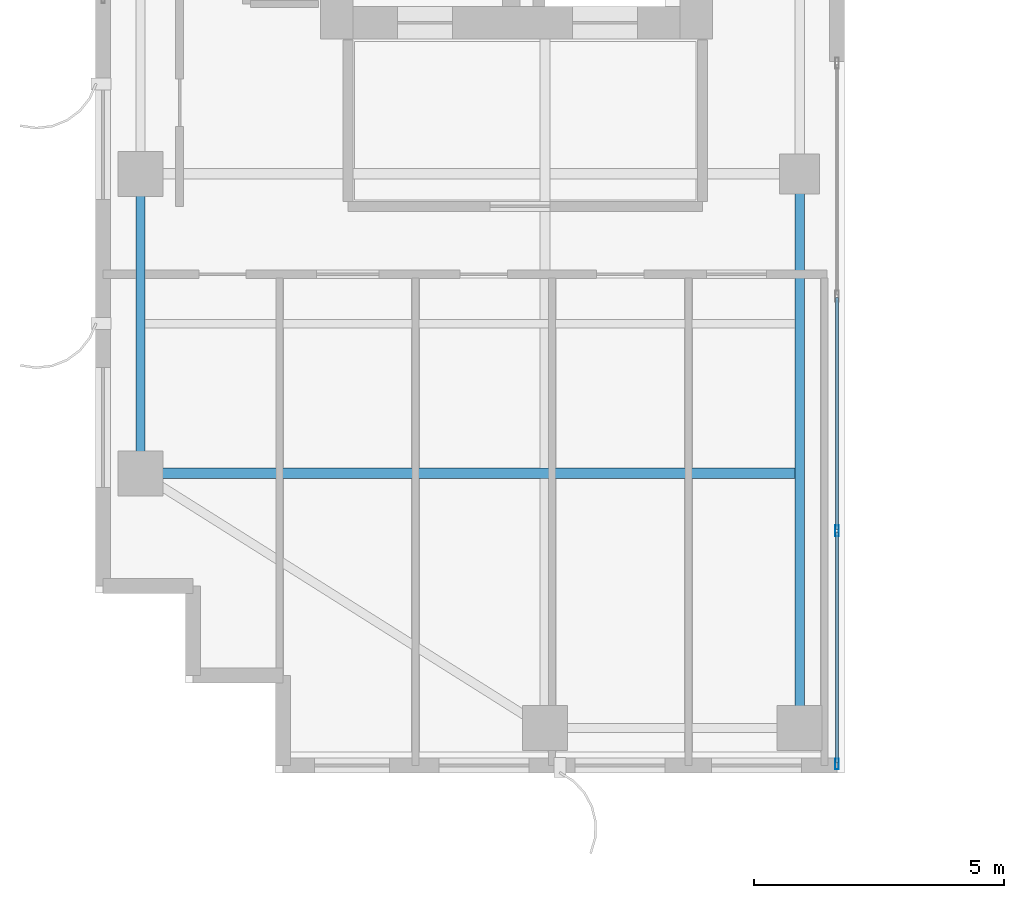
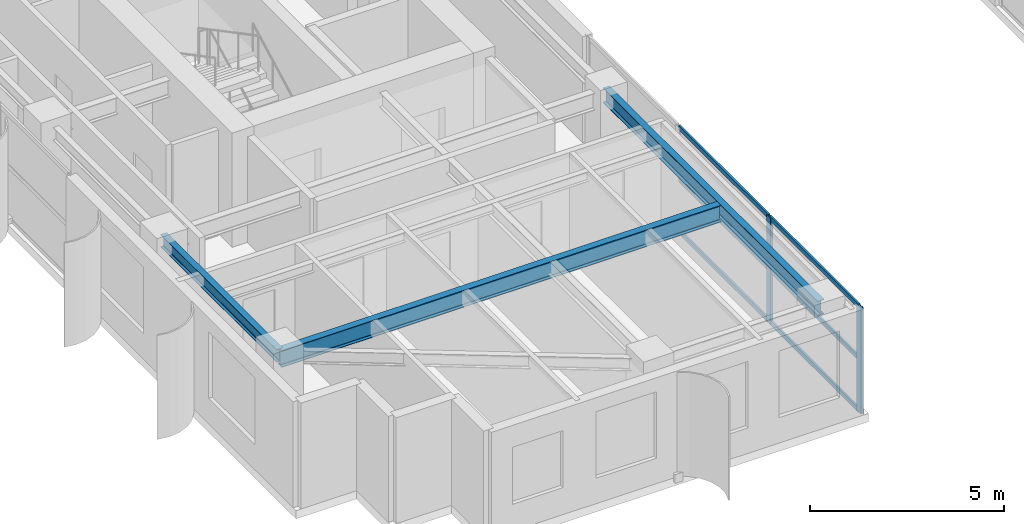
# One storey, part 2 of 22: 8 members, 3 beams, 1 element without a shape of its own.
"""IFC4 building model written with IfcOpenShell, lengths in metres."""

import ifcopenshell
import ifcopenshell.guid

model = None  # the IFC model being written
_history = None  # IfcOwnerHistory: only IFC2X3 demands one
_inside = {}  # id of a spatial element -> (the spatial element, [elements in it])
_under = {}  # id of a project, library or spatial element -> (it, [spatial elements below it])
_declared = {}  # id of a project -> (the project, [libraries it declares])
_typed = {}  # id of a type object -> (the type object, [elements of that type])
_made_of = {}  # id of a material, layer set ... -> (it, [elements and type objects made of it])


def new_model(schema):
    """Start an empty IFC model of exactly this schema.

    Asked for "IFC4X3", IfcOpenShell would pick the latest addendum, in which some entities
    have other attributes; the version numbers below select the first issue.
    IFC2X3 requires an IfcOwnerHistory on every rooted entity: one is made here for all.
    """
    global model, _history
    if schema == "IFC4X3":
        model = ifcopenshell.file(schema_version=(4, 3, 0, 0))
    else:
        model = ifcopenshell.file(schema=schema)
    _inside.clear()
    _under.clear()
    _declared.clear()
    _typed.clear()
    _made_of.clear()
    _history = None
    if model.schema == "IFC2X3":
        org = make("IfcOrganization", Name="unknown")
        user = make(
            "IfcPersonAndOrganization",
            ThePerson=make("IfcPerson", FamilyName="unknown"),
            TheOrganization=org,
        )
        app = make(
            "IfcApplication",
            ApplicationDeveloper=org,
            Version="unknown",
            ApplicationFullName="unknown",
            ApplicationIdentifier="unknown",
        )
        _history = make(
            "IfcOwnerHistory",
            OwningUser=user,
            OwningApplication=app,
            ChangeAction="ADDED",
            CreationDate=0,
        )
    return model


def make(cls, **values):
    """One entity of the class cls with the attributes given. An attribute that is None is left unset."""
    return model.create_entity(
        cls, **{name: value for name, value in values.items() if value is not None}
    )


def rooted(cls, **values):
    """An entity with a GlobalId (a new one), such as an element, a storey or a relation."""
    return make(cls, GlobalId=ifcopenshell.guid.new(), OwnerHistory=_history, **values)


def si_unit(unit_type, name, prefix=None):
    """IfcSIUnit, for example si_unit("LENGTHUNIT", "METRE", prefix="MILLI")."""
    return make("IfcSIUnit", UnitType=unit_type, Prefix=prefix, Name=name)


def assignment(units):
    """IfcUnitAssignment: the units of a project."""
    return None if units is None else make("IfcUnitAssignment", Units=units)


def point(xyz):
    """IfcCartesianPoint."""
    return None if xyz is None else make("IfcCartesianPoint", Coordinates=xyz)


def direction(xyz):
    """IfcDirection."""
    return None if xyz is None else make("IfcDirection", DirectionRatios=xyz)


def frame(location, z_axis=None, x_axis=None):
    """IfcAxis2Placement3D, a coordinate frame: its origin and axes. An axis left out is left unset."""
    return make(
        "IfcAxis2Placement3D",
        Location=point(location),
        Axis=direction(z_axis),
        RefDirection=direction(x_axis),
    )


def frame_2d(location, x_axis=None):
    """IfcAxis2Placement2D, a coordinate frame in the plane: its origin and x axis."""
    return make(
        "IfcAxis2Placement2D", Location=point(location), RefDirection=direction(x_axis)
    )


def origin():
    """The frame at (0, 0, 0) with its axes left unset."""
    return frame((0.0, 0.0, 0.0))


def origin_2d():
    """The frame at (0, 0) in the plane with its x axis left unset."""
    return frame_2d((0.0, 0.0))


def place(relative_to, where):
    """IfcLocalPlacement: puts the frame where relative to a parent placement (None: the world)."""
    return make(
        "IfcLocalPlacement", PlacementRelTo=relative_to, RelativePlacement=where
    )


def context(
    kind, dimensions, precision=None, world=None, true_north=None, identifier=None
):
    """IfcGeometricRepresentationContext, for example the 3D "Model" context."""
    return make(
        "IfcGeometricRepresentationContext",
        ContextIdentifier=identifier,
        ContextType=kind,
        CoordinateSpaceDimension=dimensions,
        Precision=precision,
        WorldCoordinateSystem=world,
        TrueNorth=true_north,
    )


def subcontext(parent, identifier, kind, view, scale=None):
    """IfcGeometricRepresentationSubContext, for example "Body" below "Model"."""
    return make(
        "IfcGeometricRepresentationSubContext",
        ContextIdentifier=identifier,
        ContextType=kind,
        ParentContext=parent,
        TargetScale=scale,
        TargetView=view,
    )


def project(units=None, contexts=None):
    """IfcProject with its units and contexts."""
    return rooted(
        "IfcProject",
        Name="project",
        RepresentationContexts=contexts,
        UnitsInContext=assignment(units),
    )


def spatial(cls, under=None, at=None, **own):
    """A site, building, storey or space (cls), placed at a placement, below another one or the project."""
    s = rooted(cls, ObjectPlacement=at, **own)
    if under is not None:
        _under.setdefault(under.id(), (under, []))[1].append(s)
    return s


def profile(cls, at=None, kind="AREA", **sizes):
    """A parametric profile (cls). Its sizes go by their IFC names, for example OverallWidth=200.0."""
    return make(cls, ProfileType=kind, Position=at, **sizes)


def hollow_rectangle(**sizes):
    """IfcRectangleHollowProfileDef."""
    return profile("IfcRectangleHollowProfileDef", **sizes)


def i_section(**sizes):
    """IfcIShapeProfileDef."""
    return profile("IfcIShapeProfileDef", **sizes)


def extrude(swept, where, along, depth):
    """IfcExtrudedAreaSolid: the profile swept, set in the frame where, extruded along a direction by depth."""
    return make(
        "IfcExtrudedAreaSolid",
        SweptArea=swept,
        Position=where,
        ExtrudedDirection=direction(along),
        Depth=depth,
    )


def shape(context_of_items, identifier, shape_type, items):
    """IfcShapeRepresentation: the items that make up one representation, for example the "Body"."""
    return make(
        "IfcShapeRepresentation",
        ContextOfItems=context_of_items,
        RepresentationIdentifier=identifier,
        RepresentationType=shape_type,
        Items=items,
    )


def source(mapping_origin, context_of_items, identifier, shape_type, items):
    """IfcRepresentationMap: a shape defined once, which mapped items show again and again."""
    return make(
        "IfcRepresentationMap",
        MappingOrigin=mapping_origin,
        MappedRepresentation=shape(context_of_items, identifier, shape_type, items),
    )


def transform(
    local_origin,
    x_axis=None,
    y_axis=None,
    z_axis=None,
    scale=None,
    scale2=None,
    scale3=None,
    uniform=True,
):
    """IfcCartesianTransformationOperator3D, or its non-uniform kind. x_axis, y_axis, z_axis: its Axis1, 2, 3."""
    if uniform:
        return make(
            "IfcCartesianTransformationOperator3D",
            Axis1=direction(x_axis),
            Axis2=direction(y_axis),
            LocalOrigin=point(local_origin),
            Scale=scale,
            Axis3=direction(z_axis),
        )
    return make(
        "IfcCartesianTransformationOperator3DnonUniform",
        Axis1=direction(x_axis),
        Axis2=direction(y_axis),
        LocalOrigin=point(local_origin),
        Scale=scale,
        Axis3=direction(z_axis),
        Scale2=scale2,
        Scale3=scale3,
    )


def mapped(mapping_source, mapping_target):
    """IfcMappedItem: shows the shape of a source again, moved by a transform."""
    return make(
        "IfcMappedItem", MappingSource=mapping_source, MappingTarget=mapping_target
    )


def material(Name=None, Category=None):
    """IfcMaterial."""
    return make("IfcMaterial", Name=Name, Category=Category)


def layer(
    of_material, thickness, ventilated=None, Name=None, Category=None, Priority=None
):
    """IfcMaterialLayer: one layer of a wall or slab, of a material (None: an air gap)."""
    return make(
        "IfcMaterialLayer",
        Material=of_material,
        LayerThickness=thickness,
        IsVentilated=ventilated,
        Name=Name,
        Category=Category,
        Priority=Priority,
    )


def layer_set(layers, Name=None):
    """IfcMaterialLayerSet."""
    return make("IfcMaterialLayerSet", MaterialLayers=layers, LayerSetName=Name)


def material_profile(
    of_material, cross_section, Name=None, Category=None, Priority=None
):
    """IfcMaterialProfile: a cross section and its material."""
    return make(
        "IfcMaterialProfile",
        Name=Name,
        Material=of_material,
        Profile=cross_section,
        Priority=Priority,
        Category=Category,
    )


def profile_set(profiles, Name=None, composite=None):
    """IfcMaterialProfileSet."""
    return make(
        "IfcMaterialProfileSet",
        Name=Name,
        MaterialProfiles=profiles,
        CompositeProfile=composite,
    )


def made_of(thing, what):
    """Note that an element or type object is made of a material, layer set ...; save() writes the relation."""
    if what is not None:
        _made_of.setdefault(what.id(), (what, []))[1].append(thing)
    return thing


def type_object(cls, material=None, **own):
    """A type object (cls), such as IfcWallType, which elements share."""
    return made_of(rooted(cls, **own), material)


def element(
    cls,
    number,
    at=None,
    inside=None,
    cuts=None,
    type_object=None,
    material=None,
    context=None,
    identifier="Body",
    shape_type=None,
    held_by="IfcProductDefinitionShape",
    body=None,
    shapes=None,
    **own,
):
    """One element of the class cls, such as IfcWall. Its Tag is "e" and its number.

    at: its placement. inside: the storey or other place that contains it. cuts: it is an
    opening in that element (IfcRelVoidsElement). A single representation is given by context,
    identifier, shape_type and body (its items); several are given by shapes. held_by: the class
    of the entity that holds the representations. save() writes the other relations.
    """
    e = rooted(cls, Tag="e%d" % number, ObjectPlacement=at, **own)
    if body is not None:
        shapes = [shape(context, identifier, shape_type, body)]
    if shapes is not None:
        e.Representation = make(held_by, Representations=shapes)
    if inside is not None:
        _inside.setdefault(inside.id(), (inside, []))[1].append(e)
    if cuts is not None:
        rooted(
            "IfcRelVoidsElement", RelatingBuildingElement=cuts, RelatedOpeningElement=e
        )
    if type_object is not None:
        _typed.setdefault(type_object.id(), (type_object, []))[1].append(e)
    return made_of(e, material)


def aggregate(whole, parts):
    """IfcRelAggregates: a whole, such as a stair, and the parts it consists of."""
    return rooted("IfcRelAggregates", RelatingObject=whole, RelatedObjects=parts)


def save(model, path):
    """Write the relations noted so far, then the file.

    IfcRelAggregates (storeys below a building ...), IfcRelContainedInSpatialStructure (elements
    in a storey), IfcRelDefinesByType, IfcRelAssociatesMaterial and IfcRelDeclares: one each for
    every whole, place, type object, material and project.
    """
    for whole, parts in _under.values():
        aggregate(whole, parts)
    for where, things in _inside.values():
        rooted(
            "IfcRelContainedInSpatialStructure",
            RelatedElements=things,
            RelatingStructure=where,
        )
    for kind, things in _typed.values():
        rooted("IfcRelDefinesByType", RelatedObjects=things, RelatingType=kind)
    for what, things in _made_of.values():
        rooted("IfcRelAssociatesMaterial", RelatedObjects=things, RelatingMaterial=what)
    for by, libraries in _declared.values():
        rooted("IfcRelDeclares", RelatingContext=by, RelatedDefinitions=libraries)
    model.write(path)


model = new_model("IFC4")

# Units and contexts
model_context = context("Model", 3, precision=1e-05, world=origin(), true_north=direction((0.0, 1.0)))
body_context = subcontext(model_context, "Body", "Model", "MODEL_VIEW")
ifc_project = project(units=[si_unit("LENGTHUNIT", "METRE"), si_unit("AREAUNIT", "SQUARE_METRE"), si_unit("VOLUMEUNIT", "CUBIC_METRE"), si_unit("PLANEANGLEUNIT", "RADIAN"), si_unit("MASSUNIT", "GRAM", prefix="KILO")], contexts=[model_context])

# Site, building, storey
site_placement = place(None, origin())
site = spatial("IfcSite", under=ifc_project, at=site_placement, CompositionType="ELEMENT")
building_placement = place(site_placement, origin())
building = spatial("IfcBuilding", under=site, at=building_placement, Name="Khoralis Quay Care Tower", CompositionType="ELEMENT")
storey_placement = place(building_placement, frame((0.0, 0.0, 191.699951171875)))
storey = spatial("IfcBuildingStorey", under=building, at=storey_placement, Name="L50", CompositionType="ELEMENT", Elevation=191.699951171875)

# Beams
ifc_material_1 = material(Name="Steel S355", Category="steel")
ifc_material_profile_1 = material_profile(ifc_material_1, i_section(OverallWidth=0.179931640625, OverallDepth=0.39990234375, WebThickness=0.008544921875, FlangeThickness=0.013427734375, FilletRadius=0.02099609375, at=origin_2d()), Name="Steel S355")
ifc_profile_set_1 = profile_set([ifc_material_profile_1], Name="Steel S355")
beam_type_1 = type_object("IfcBeamType", Name="BM-IPE400", PredefinedType="SPANDREL", material=ifc_profile_set_1)
shared_shape_1 = source(origin(), body_context, "Body", "SweptSolid", [
    extrude(i_section(OverallWidth=0.179931640625, OverallDepth=0.39990234375, WebThickness=0.008544921875, FlangeThickness=0.013427734375, FilletRadius=0.02099609375, at=origin_2d()), origin(), (0.0, 0.0, 1.0), 6.0),
])
beam_1_placement = place(storey_placement, frame((3.89990234375, 6.0, 3.14013671875), z_axis=(0.0, 1.0, 0.0), x_axis=(-1.0, 0.0, 0.0)))
element("IfcBeam", 1, at=beam_1_placement, inside=storey, type_object=beam_type_1, Name="BM-TSP-L50-05", PredefinedType="SPANDREL", context=body_context, shape_type="MappedRepresentation", body=[
    mapped(shared_shape_1, transform((0.0, 0.0, 0.0), scale=1.0)),
])
ifc_material_profile_2 = material_profile(ifc_material_1, i_section(OverallWidth=0.208984375, OverallDepth=0.532958984375, WebThickness=0.01025390625, FlangeThickness=0.015625, FilletRadius=0.01611328125, at=origin_2d()), Name="Steel S355")
ifc_profile_set_2 = profile_set([ifc_material_profile_2], Name="Steel S355")
beam_type_2 = type_object("IfcBeamType", Name="BM-W530X92", PredefinedType="BEAM", material=ifc_profile_set_2)
shared_shape_2 = source(origin(), body_context, "Body", "SweptSolid", [
    extrude(i_section(OverallWidth=0.208984375, OverallDepth=0.532958984375, WebThickness=0.01025390625, FlangeThickness=0.015625, FilletRadius=0.01611328125, at=origin_2d()), origin(), (0.0, 0.0, 1.0), 13.1162109375),
])
beam_2_placement = place(storey_placement, frame((3.89990234375, 6.0, 3.073486328125), z_axis=(1.0, 0.0, 0.0), x_axis=(0.0, 1.0, 0.0)))
element("IfcBeam", 2, at=beam_2_placement, inside=storey, type_object=beam_type_2, Name="BM-TGXW-L50-60", PredefinedType="BEAM", context=body_context, shape_type="MappedRepresentation", body=[
    mapped(shared_shape_2, transform((0.0, 0.0, 0.0), scale=1.0)),
])
ifc_material_profile_3 = material_profile(ifc_material_1, i_section(OverallWidth=0.19189453125, OverallDepth=0.462890625, WebThickness=0.010498046875, FlangeThickness=0.017578125, FilletRadius=0.014892578125, at=origin_2d()), Name="Steel S355")
ifc_profile_set_3 = profile_set([ifc_material_profile_3], Name="Steel S355")
beam_type_3 = type_object("IfcBeamType", Name="BM-W460X89", PredefinedType="BEAM", material=ifc_profile_set_3)
shared_shape_3 = source(origin(), body_context, "Body", "SweptSolid", [
    extrude(i_section(OverallWidth=0.19189453125, OverallDepth=0.462890625, WebThickness=0.010498046875, FlangeThickness=0.017578125, FilletRadius=0.014892578125, at=origin_2d()), origin(), (0.0, 0.0, 1.0), 11.10009765625),
])
beam_3_placement = place(storey_placement, frame((17.10009765625, 0.89990234375, 3.108642578125), z_axis=(0.0, 1.0, 0.0), x_axis=(-1.0, 0.0, 0.0)))
element("IfcBeam", 3, at=beam_3_placement, inside=storey, type_object=beam_type_3, Name="BM-TGYS-L50-171", PredefinedType="BEAM", context=body_context, shape_type="MappedRepresentation", body=[
    mapped(shared_shape_3, transform((0.0, 0.0, 0.0), scale=1.0)),
])

# Curtain wall, members
ifc_material_2 = material(Name="Pale anodised aluminium", Category="aluminium")
ifc_layer = layer(ifc_material_2, 0.18994140625)
ifc_layer_set = layer_set([ifc_layer], Name="Pale anodised aluminium")
curtain_wall_type = type_object("IfcCurtainWallType", Name="CW-SYS-PORTAL", PredefinedType="NOTDEFINED", material=ifc_layer_set)
curtain_wall_placement = place(storey_placement, origin())
curtain_wall = element("IfcCurtainWall", 4, at=curtain_wall_placement, inside=storey, type_object=curtain_wall_type, Name="L50 Unitised Curtain Wall CW-VP-L50-P1-S", PredefinedType="NOTDEFINED")
ifc_material_profile_4 = material_profile(ifc_material_2, hollow_rectangle(XDim=0.074951171875, YDim=0.219970703125, WallThickness=0.00390625, at=origin_2d()), Name="Pale anodised aluminium")
ifc_profile_set_4 = profile_set([ifc_material_profile_4], Name="Pale anodised aluminium")
member_type_1 = type_object("IfcMemberType", Name="CW-MUL-220", PredefinedType="MULLION", material=ifc_profile_set_4)
shared_shape_4 = source(origin(), body_context, "Body", "SweptSolid", [
    extrude(hollow_rectangle(XDim=0.074951171875, YDim=0.219970703125, WallThickness=0.00390625, at=origin_2d()), origin(), (0.0, 0.0, 1.0), 3.340087890625),
])
member_1_placement = place(storey_placement, frame((17.85009765625, 0.179931640625, 0.0), z_axis=(0.0, 0.0, 1.0), x_axis=(-1.0, 0.0, 0.0)))
member_1 = element("IfcMember", 5, at=member_1_placement, type_object=member_type_1, Name="CW4 mullion 1", PredefinedType="MULLION", context=body_context, shape_type="MappedRepresentation", body=[
    mapped(shared_shape_4, transform((0.0, 0.0, 0.0), scale=1.0)),
])
member_2_placement = place(storey_placement, frame((17.85009765625, 4.85009765625, 0.0), z_axis=(0.0, 0.0, 1.0), x_axis=(-1.0, 0.0, 0.0)))
member_2 = element("IfcMember", 6, at=member_2_placement, type_object=member_type_1, Name="CW4 mullion 2", PredefinedType="MULLION", context=body_context, shape_type="MappedRepresentation", body=[
    mapped(shared_shape_4, transform((0.0, 0.0, 0.0), scale=1.0)),
])
ifc_material_profile_5 = material_profile(ifc_material_2, hollow_rectangle(XDim=0.06005859375, YDim=0.139892578125, WallThickness=0.00390625, at=origin_2d()), Name="Pale anodised aluminium")
ifc_profile_set_5 = profile_set([ifc_material_profile_5], Name="Pale anodised aluminium")
member_type_2 = type_object("IfcMemberType", Name="CW-TRN-140", PredefinedType="USERDEFINED", material=ifc_profile_set_5)
shared_shape_5 = source(origin(), body_context, "Body", "SweptSolid", [
    extrude(hollow_rectangle(XDim=0.06005859375, YDim=0.139892578125, WallThickness=0.00390625, at=origin_2d()), origin(), (0.0, 0.0, 1.0), 4.610107421875),
])
member_3_placement = place(storey_placement, frame((17.85009765625, 0.2099609375, 0.030029296875), z_axis=(0.0, 1.0, 0.0), x_axis=(-1.0, 0.0, 0.0)))
member_3 = element("IfcMember", 7, at=member_3_placement, type_object=member_type_2, Name="CW4 transom 1.1", ObjectType="TRANSOM", PredefinedType="USERDEFINED", context=body_context, shape_type="MappedRepresentation", body=[
    mapped(shared_shape_5, transform((0.0, 0.0, 0.0), scale=1.0)),
])
member_4_placement = place(storey_placement, frame((17.85009765625, 0.2099609375, 1.670166015625), z_axis=(0.0, 1.0, 0.0), x_axis=(-1.0, 0.0, 0.0)))
member_4 = element("IfcMember", 8, at=member_4_placement, type_object=member_type_2, Name="CW4 transom 1.2", ObjectType="TRANSOM", PredefinedType="USERDEFINED", context=body_context, shape_type="MappedRepresentation", body=[
    mapped(shared_shape_5, transform((0.0, 0.0, 0.0), scale=1.0)),
])
member_5_placement = place(storey_placement, frame((17.85009765625, 0.2099609375, 3.31005859375), z_axis=(0.0, 1.0, 0.0), x_axis=(-1.0, 0.0, 0.0)))
member_5 = element("IfcMember", 9, at=member_5_placement, type_object=member_type_2, Name="CW4 transom 1.3", ObjectType="TRANSOM", PredefinedType="USERDEFINED", context=body_context, shape_type="MappedRepresentation", body=[
    mapped(shared_shape_5, transform((0.0, 0.0, 0.0), scale=1.0)),
])
shared_shape_6 = source(origin(), body_context, "Body", "SweptSolid", [
    extrude(hollow_rectangle(XDim=0.06005859375, YDim=0.139892578125, WallThickness=0.00390625, at=origin_2d()), origin(), (0.0, 0.0, 1.0), 4.64013671875),
])
member_6_placement = place(storey_placement, frame((17.85009765625, 4.8798828125, 0.030029296875), z_axis=(0.0, 1.0, 0.0), x_axis=(-1.0, 0.0, 0.0)))
member_6 = element("IfcMember", 10, at=member_6_placement, type_object=member_type_2, Name="CW4 transom 2.1", ObjectType="TRANSOM", PredefinedType="USERDEFINED", context=body_context, shape_type="MappedRepresentation", body=[
    mapped(shared_shape_6, transform((0.0, 0.0, 0.0), scale=1.0)),
])
member_7_placement = place(storey_placement, frame((17.85009765625, 4.8798828125, 1.670166015625), z_axis=(0.0, 1.0, 0.0), x_axis=(-1.0, 0.0, 0.0)))
member_7 = element("IfcMember", 11, at=member_7_placement, type_object=member_type_2, Name="CW4 transom 2.2", ObjectType="TRANSOM", PredefinedType="USERDEFINED", context=body_context, shape_type="MappedRepresentation", body=[
    mapped(shared_shape_6, transform((0.0, 0.0, 0.0), scale=1.0)),
])
member_8_placement = place(storey_placement, frame((17.85009765625, 4.8798828125, 3.31005859375), z_axis=(0.0, 1.0, 0.0), x_axis=(-1.0, 0.0, 0.0)))
member_8 = element("IfcMember", 12, at=member_8_placement, type_object=member_type_2, Name="CW4 transom 2.3", ObjectType="TRANSOM", PredefinedType="USERDEFINED", context=body_context, shape_type="MappedRepresentation", body=[
    mapped(shared_shape_6, transform((0.0, 0.0, 0.0), scale=1.0)),
])
aggregate(curtain_wall, [member_1, member_2, member_3, member_4, member_5, member_6, member_7, member_8])

save(model, "model.ifc")
